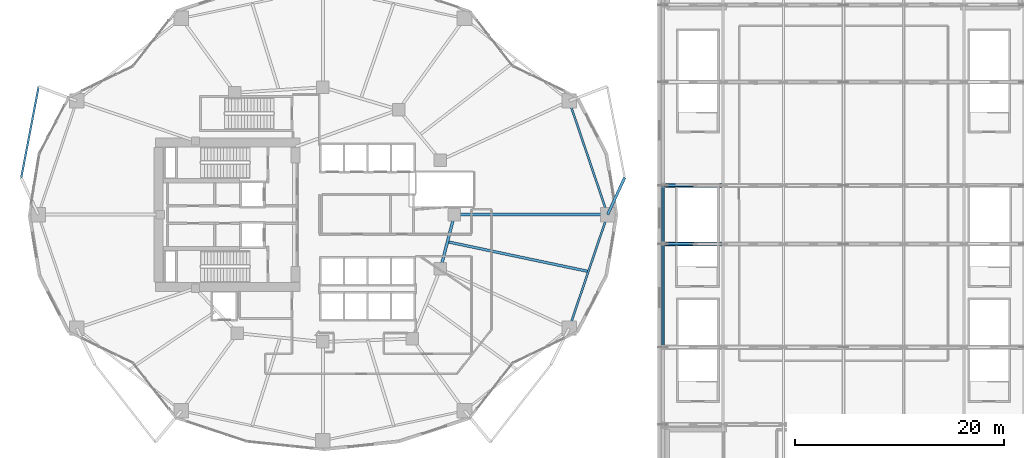
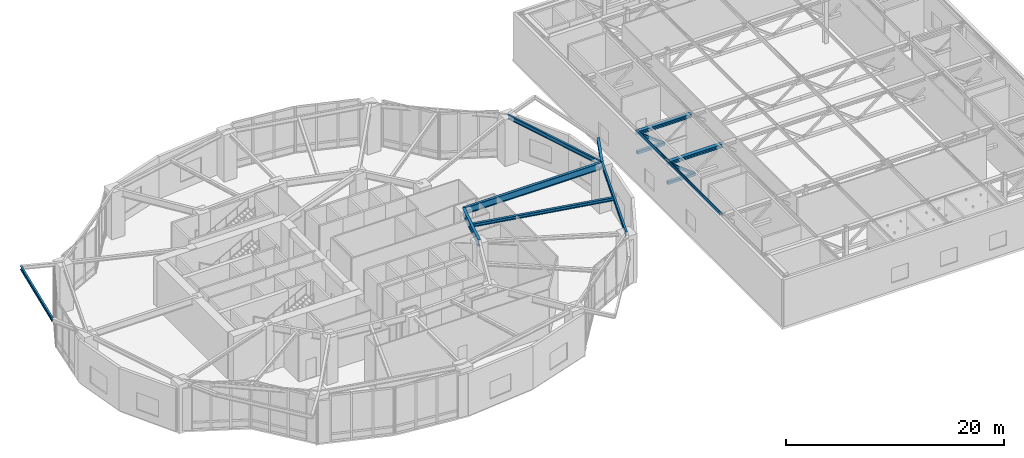
# One storey, part 8 of 29: 8 members, 7 beams.
"""IFC4 building model written with IfcOpenShell, lengths in metres."""

import ifcopenshell
import ifcopenshell.guid

model = None  # the IFC model being written
_history = None  # IfcOwnerHistory: only IFC2X3 demands one
_inside = {}  # id of a spatial element -> (the spatial element, [elements in it])
_under = {}  # id of a project, library or spatial element -> (it, [spatial elements below it])
_declared = {}  # id of a project -> (the project, [libraries it declares])
_typed = {}  # id of a type object -> (the type object, [elements of that type])
_made_of = {}  # id of a material, layer set ... -> (it, [elements and type objects made of it])


def new_model(schema):
    """Start an empty IFC model of exactly this schema.

    Asked for "IFC4X3", IfcOpenShell would pick the latest addendum, in which some entities
    have other attributes; the version numbers below select the first issue.
    IFC2X3 requires an IfcOwnerHistory on every rooted entity: one is made here for all.
    """
    global model, _history
    if schema == "IFC4X3":
        model = ifcopenshell.file(schema_version=(4, 3, 0, 0))
    else:
        model = ifcopenshell.file(schema=schema)
    _inside.clear()
    _under.clear()
    _declared.clear()
    _typed.clear()
    _made_of.clear()
    _history = None
    if model.schema == "IFC2X3":
        org = make("IfcOrganization", Name="unknown")
        user = make(
            "IfcPersonAndOrganization",
            ThePerson=make("IfcPerson", FamilyName="unknown"),
            TheOrganization=org,
        )
        app = make(
            "IfcApplication",
            ApplicationDeveloper=org,
            Version="unknown",
            ApplicationFullName="unknown",
            ApplicationIdentifier="unknown",
        )
        _history = make(
            "IfcOwnerHistory",
            OwningUser=user,
            OwningApplication=app,
            ChangeAction="ADDED",
            CreationDate=0,
        )
    return model


def make(cls, **values):
    """One entity of the class cls with the attributes given. An attribute that is None is left unset."""
    return model.create_entity(
        cls, **{name: value for name, value in values.items() if value is not None}
    )


def rooted(cls, **values):
    """An entity with a GlobalId (a new one), such as an element, a storey or a relation."""
    return make(cls, GlobalId=ifcopenshell.guid.new(), OwnerHistory=_history, **values)


def si_unit(unit_type, name, prefix=None):
    """IfcSIUnit, for example si_unit("LENGTHUNIT", "METRE", prefix="MILLI")."""
    return make("IfcSIUnit", UnitType=unit_type, Prefix=prefix, Name=name)


def assignment(units):
    """IfcUnitAssignment: the units of a project."""
    return None if units is None else make("IfcUnitAssignment", Units=units)


def point(xyz):
    """IfcCartesianPoint."""
    return None if xyz is None else make("IfcCartesianPoint", Coordinates=xyz)


def direction(xyz):
    """IfcDirection."""
    return None if xyz is None else make("IfcDirection", DirectionRatios=xyz)


def frame(location, z_axis=None, x_axis=None):
    """IfcAxis2Placement3D, a coordinate frame: its origin and axes. An axis left out is left unset."""
    return make(
        "IfcAxis2Placement3D",
        Location=point(location),
        Axis=direction(z_axis),
        RefDirection=direction(x_axis),
    )


def frame_2d(location, x_axis=None):
    """IfcAxis2Placement2D, a coordinate frame in the plane: its origin and x axis."""
    return make(
        "IfcAxis2Placement2D", Location=point(location), RefDirection=direction(x_axis)
    )


def origin():
    """The frame at (0, 0, 0) with its axes left unset."""
    return frame((0.0, 0.0, 0.0))


def origin_2d():
    """The frame at (0, 0) in the plane with its x axis left unset."""
    return frame_2d((0.0, 0.0))


def place(relative_to, where):
    """IfcLocalPlacement: puts the frame where relative to a parent placement (None: the world)."""
    return make(
        "IfcLocalPlacement", PlacementRelTo=relative_to, RelativePlacement=where
    )


def context(
    kind, dimensions, precision=None, world=None, true_north=None, identifier=None
):
    """IfcGeometricRepresentationContext, for example the 3D "Model" context."""
    return make(
        "IfcGeometricRepresentationContext",
        ContextIdentifier=identifier,
        ContextType=kind,
        CoordinateSpaceDimension=dimensions,
        Precision=precision,
        WorldCoordinateSystem=world,
        TrueNorth=true_north,
    )


def subcontext(parent, identifier, kind, view, scale=None):
    """IfcGeometricRepresentationSubContext, for example "Body" below "Model"."""
    return make(
        "IfcGeometricRepresentationSubContext",
        ContextIdentifier=identifier,
        ContextType=kind,
        ParentContext=parent,
        TargetScale=scale,
        TargetView=view,
    )


def project(units=None, contexts=None):
    """IfcProject with its units and contexts."""
    return rooted(
        "IfcProject",
        Name="project",
        RepresentationContexts=contexts,
        UnitsInContext=assignment(units),
    )


def spatial(cls, under=None, at=None, **own):
    """A site, building, storey or space (cls), placed at a placement, below another one or the project."""
    s = rooted(cls, ObjectPlacement=at, **own)
    if under is not None:
        _under.setdefault(under.id(), (under, []))[1].append(s)
    return s


def profile(cls, at=None, kind="AREA", **sizes):
    """A parametric profile (cls). Its sizes go by their IFC names, for example OverallWidth=200.0."""
    return make(cls, ProfileType=kind, Position=at, **sizes)


def hollow_rectangle(**sizes):
    """IfcRectangleHollowProfileDef."""
    return profile("IfcRectangleHollowProfileDef", **sizes)


def i_section(**sizes):
    """IfcIShapeProfileDef."""
    return profile("IfcIShapeProfileDef", **sizes)


def extrude(swept, where, along, depth):
    """IfcExtrudedAreaSolid: the profile swept, set in the frame where, extruded along a direction by depth."""
    return make(
        "IfcExtrudedAreaSolid",
        SweptArea=swept,
        Position=where,
        ExtrudedDirection=direction(along),
        Depth=depth,
    )


def shape(context_of_items, identifier, shape_type, items):
    """IfcShapeRepresentation: the items that make up one representation, for example the "Body"."""
    return make(
        "IfcShapeRepresentation",
        ContextOfItems=context_of_items,
        RepresentationIdentifier=identifier,
        RepresentationType=shape_type,
        Items=items,
    )


def material(Name=None, Category=None):
    """IfcMaterial."""
    return make("IfcMaterial", Name=Name, Category=Category)


def material_profile(
    of_material, cross_section, Name=None, Category=None, Priority=None
):
    """IfcMaterialProfile: a cross section and its material."""
    return make(
        "IfcMaterialProfile",
        Name=Name,
        Material=of_material,
        Profile=cross_section,
        Priority=Priority,
        Category=Category,
    )


def profile_set(profiles, Name=None, composite=None):
    """IfcMaterialProfileSet."""
    return make(
        "IfcMaterialProfileSet",
        Name=Name,
        MaterialProfiles=profiles,
        CompositeProfile=composite,
    )


def made_of(thing, what):
    """Note that an element or type object is made of a material, layer set ...; save() writes the relation."""
    if what is not None:
        _made_of.setdefault(what.id(), (what, []))[1].append(thing)
    return thing


def type_object(cls, material=None, **own):
    """A type object (cls), such as IfcWallType, which elements share."""
    return made_of(rooted(cls, **own), material)


def element(
    cls,
    number,
    at=None,
    inside=None,
    cuts=None,
    type_object=None,
    material=None,
    context=None,
    identifier="Body",
    shape_type=None,
    held_by="IfcProductDefinitionShape",
    body=None,
    shapes=None,
    **own,
):
    """One element of the class cls, such as IfcWall. Its Tag is "e" and its number.

    at: its placement. inside: the storey or other place that contains it. cuts: it is an
    opening in that element (IfcRelVoidsElement). A single representation is given by context,
    identifier, shape_type and body (its items); several are given by shapes. held_by: the class
    of the entity that holds the representations. save() writes the other relations.
    """
    e = rooted(cls, Tag="e%d" % number, ObjectPlacement=at, **own)
    if body is not None:
        shapes = [shape(context, identifier, shape_type, body)]
    if shapes is not None:
        e.Representation = make(held_by, Representations=shapes)
    if inside is not None:
        _inside.setdefault(inside.id(), (inside, []))[1].append(e)
    if cuts is not None:
        rooted(
            "IfcRelVoidsElement", RelatingBuildingElement=cuts, RelatedOpeningElement=e
        )
    if type_object is not None:
        _typed.setdefault(type_object.id(), (type_object, []))[1].append(e)
    return made_of(e, material)


def aggregate(whole, parts):
    """IfcRelAggregates: a whole, such as a stair, and the parts it consists of."""
    return rooted("IfcRelAggregates", RelatingObject=whole, RelatedObjects=parts)


def save(model, path):
    """Write the relations noted so far, then the file.

    IfcRelAggregates (storeys below a building ...), IfcRelContainedInSpatialStructure (elements
    in a storey), IfcRelDefinesByType, IfcRelAssociatesMaterial and IfcRelDeclares: one each for
    every whole, place, type object, material and project.
    """
    for whole, parts in _under.values():
        aggregate(whole, parts)
    for where, things in _inside.values():
        rooted(
            "IfcRelContainedInSpatialStructure",
            RelatedElements=things,
            RelatingStructure=where,
        )
    for kind, things in _typed.values():
        rooted("IfcRelDefinesByType", RelatedObjects=things, RelatingType=kind)
    for what, things in _made_of.values():
        rooted("IfcRelAssociatesMaterial", RelatedObjects=things, RelatingMaterial=what)
    for by, libraries in _declared.values():
        rooted("IfcRelDeclares", RelatingContext=by, RelatedDefinitions=libraries)
    model.write(path)


model = new_model("IFC4")

# Units and contexts
model_context = context("Model", 3, precision=1e-05, world=origin(), true_north=direction((0.0, 1.0)))
body_context = subcontext(model_context, "Body", "Model", "MODEL_VIEW")
ifc_project = project(units=[si_unit("LENGTHUNIT", "METRE"), si_unit("AREAUNIT", "SQUARE_METRE"), si_unit("VOLUMEUNIT", "CUBIC_METRE"), si_unit("PLANEANGLEUNIT", "RADIAN"), si_unit("MASSUNIT", "GRAM", prefix="KILO")], contexts=[model_context])

# Site, building, storey
site_placement = place(None, origin())
site = spatial("IfcSite", under=ifc_project, at=site_placement, CompositionType="ELEMENT")
building_placement = place(site_placement, origin())
building = spatial("IfcBuilding", under=site, at=building_placement, Name="Kolvaren Gate Tower and Convention Centre", CompositionType="ELEMENT")
storey_placement = place(building_placement, frame((0.0, 0.0, 21.0)))
storey = spatial("IfcBuildingStorey", under=building, at=storey_placement, Name="L04", CompositionType="ELEMENT", Elevation=21.0)

# Beams
ifc_material_1 = material(Name="Structural steel ASTM A992 Grade 345 MPa", Category="steel")
ifc_material_profile_1 = material_profile(ifc_material_1, i_section(OverallWidth=0.260009765625, OverallDepth=0.419921875, WebThickness=0.013427734375, FlangeThickness=0.0224609375, at=origin_2d()), Name="W410X132")
ifc_profile_set_1 = profile_set([ifc_material_profile_1], Name="Structural steel ASTM A992 Grade 345 MPa")
beam_type_1 = type_object("IfcBeamType", Name="STR-BM-W410X132", PredefinedType="BEAM", material=ifc_profile_set_1)
beam_1_placement = place(storey_placement, frame((57.39990234375, 27.0, 5.010498046875), z_axis=(0.417803301824, 0.908537506648, 0.0), x_axis=(-0.908537506648, 0.417803301824, 0.0)))
element("IfcBeam", 1, at=beam_1_placement, inside=storey, type_object=beam_type_1, Name="Tower L05 Planted Balcony Outrigger Cantilever BC-1A", PredefinedType="BEAM", context=body_context, shape_type="SweptSolid", body=[
    extrude(i_section(OverallWidth=0.260009765625, OverallDepth=0.419921875, WebThickness=0.013427734375, FlangeThickness=0.0224609375, at=origin_2d()), origin(), (0.0, 0.0, 1.0), 3.89990234375),
])
ifc_material_profile_2 = material_profile(ifc_material_1, i_section(OverallWidth=0.26806640625, OverallDepth=0.758056640625, WebThickness=0.016357421875, FlangeThickness=0.025390625, at=origin_2d()), Name="W760X220")
ifc_profile_set_2 = profile_set([ifc_material_profile_2], Name="Structural steel ASTM A992 Grade 345 MPa")
beam_type_2 = type_object("IfcBeamType", Name="STR-BM-W760X220", PredefinedType="BEAM", material=ifc_profile_set_2)
beam_2_placement = place(storey_placement, frame((42.72509765625, 27.0, 4.841064453125), z_axis=(-0.250091133936, -0.968222301296, 0.0), x_axis=(0.968222301296, -0.250091133936, 0.0)))
element("IfcBeam", 2, at=beam_2_placement, inside=storey, type_object=beam_type_2, Name="Tower L04 Primary Ring Girder G-01", PredefinedType="BEAM", context=body_context, shape_type="SweptSolid", body=[
    extrude(i_section(OverallWidth=0.26806640625, OverallDepth=0.758056640625, WebThickness=0.016357421875, FlangeThickness=0.025390625, at=origin_2d()), origin(), (0.0, 0.0, 1.0), 5.3701171875),
])
beam_3_placement = place(storey_placement, frame((42.72509765625, 27.0, 4.841064453125), z_axis=(1.0, 0.0, 0.0), x_axis=(0.0, 1.0, 0.0)))
element("IfcBeam", 3, at=beam_3_placement, inside=storey, type_object=beam_type_2, Name="Tower L04 Radial Floor Girder RB-01", PredefinedType="BEAM", context=body_context, shape_type="SweptSolid", body=[
    extrude(i_section(OverallWidth=0.26806640625, OverallDepth=0.758056640625, WebThickness=0.016357421875, FlangeThickness=0.025390625, at=origin_2d()), origin(), (0.0, 0.0, 1.0), 14.6748046875),
])

# Members
ifc_material_2 = material(Name="Structural steel ASTM A500 Grade C 345 MPa", Category="steel")
ifc_material_profile_3 = material_profile(ifc_material_2, hollow_rectangle(XDim=0.25390625, YDim=0.25390625, WallThickness=0.015869140625, at=origin_2d()), Name="HSS254X254X15.9")
ifc_profile_set_3 = profile_set([ifc_material_profile_3], Name="Structural steel ASTM A500 Grade C 345 MPa")
member_type_1 = type_object("IfcMemberType", Name="STR-BR-HSS254X254", PredefinedType="BRACE", material=ifc_profile_set_3)
for number, where, z_axis, x_axis, name in (
    (4, (62.699951171875, 24.199951171875, 4.919921875), (0.79235205207, 0.0, -0.610064115959), (0.0, 1.0, 0.0), "Convention Roof Truss TR-04 Web Diagonal 1A"),
    (5, (62.699951171875, 29.800048828125, 4.919921875), (0.79235205207, 0.0, -0.610064115959), (0.0, 1.0, 0.0), "Convention Roof Truss TR-05 Web Diagonal 1A"),
):
    element("IfcMember", number, at=place(storey_placement, frame(where, z_axis=z_axis, x_axis=x_axis)), inside=storey, type_object=member_type_1, Name=name, PredefinedType="BRACE", context=body_context, shape_type="SweptSolid", body=[
        extrude(hollow_rectangle(XDim=0.25390625, YDim=0.25390625, WallThickness=0.015869140625, at=origin_2d()), origin(), (0.0, 0.0, 1.0), 3.638916015625),
    ])
ifc_material_profile_4 = material_profile(ifc_material_2, hollow_rectangle(XDim=0.304931640625, YDim=0.304931640625, WallThickness=0.015869140625, at=origin_2d()), Name="HSS305X305X15.9")
ifc_profile_set_4 = profile_set([ifc_material_profile_4], Name="Structural steel ASTM A500 Grade C 345 MPa")
member_type_2 = type_object("IfcMemberType", Name="STR-CH-HSS305X305", PredefinedType="CHORD", material=ifc_profile_set_4)
for number, where, z_axis, x_axis, name in (
    (6, (62.699951171875, 24.199951171875, 2.699951171875), (1.0, 0.0, 0.0), (0.0, 1.0, 0.0), "Convention Roof Truss TR-04 Bottom Chord 1A"),
    (7, (62.699951171875, 29.800048828125, 2.699951171875), (1.0, 0.0, 0.0), (0.0, 1.0, 0.0), "Convention Roof Truss TR-05 Bottom Chord 1A"),
):
    element("IfcMember", number, at=place(storey_placement, frame(where, z_axis=z_axis, x_axis=x_axis)), inside=storey, type_object=member_type_2, Name=name, PredefinedType="CHORD", context=body_context, shape_type="SweptSolid", body=[
        extrude(hollow_rectangle(XDim=0.304931640625, YDim=0.304931640625, WallThickness=0.015869140625, at=origin_2d()), origin(), (0.0, 0.0, 1.0), 2.88330078125),
    ])
ifc_material_profile_5 = material_profile(ifc_material_1, i_section(OverallWidth=0.39501953125, OverallDepth=0.3798828125, WebThickness=0.018798828125, FlangeThickness=0.0302734375, at=origin_2d()), Name="W360X237")
ifc_profile_set_5 = profile_set([ifc_material_profile_5], Name="Structural steel ASTM A992 Grade 345 MPa")
member_type_3 = type_object("IfcMemberType", Name="STR-CH-W360X237", PredefinedType="CHORD", material=ifc_profile_set_5)
for number, where, z_axis, x_axis, name in (
    (8, (62.699951171875, 24.199951171875, 4.919921875), (1.0, 0.0, 0.0), (0.0, 1.0, 0.0), "Convention Roof Truss TR-04 Top Chord 1"),
    (9, (62.699951171875, 29.800048828125, 4.919921875), (1.0, 0.0, 0.0), (0.0, 1.0, 0.0), "Convention Roof Truss TR-05 Top Chord 1"),
):
    element("IfcMember", number, at=place(storey_placement, frame(where, z_axis=z_axis, x_axis=x_axis)), inside=storey, type_object=member_type_3, Name=name, PredefinedType="CHORD", context=body_context, shape_type="SweptSolid", body=[
        extrude(i_section(OverallWidth=0.39501953125, OverallDepth=0.3798828125, WebThickness=0.018798828125, FlangeThickness=0.0302734375, at=origin_2d()), origin(), (0.0, 0.0, 1.0), 5.766845703125),
    ])

# Beam
ifc_material_profile_6 = material_profile(ifc_material_1, i_section(OverallWidth=0.2548828125, OverallDepth=0.35693359375, WebThickness=0.010498046875, FlangeThickness=0.018310546875, at=origin_2d()), Name="W360X101")
ifc_profile_set_6 = profile_set([ifc_material_profile_6], Name="Structural steel ASTM A992 Grade 345 MPa")
beam_type_3 = type_object("IfcBeamType", Name="STR-JS-W360X101", PredefinedType="JOIST", material=ifc_profile_set_6)
beam_4_placement = place(storey_placement, frame((42.0537109375, 24.400146484375, 5.04150390625), z_axis=(0.978483842038, -0.206323461756, 0.0), x_axis=(0.206323461756, 0.978483842038, 0.0)))
element("IfcBeam", 10, at=beam_4_placement, inside=storey, type_object=beam_type_3, Name="Tower L04 Secondary Composite Floor Joist J-12.1", PredefinedType="JOIST", context=body_context, shape_type="SweptSolid", body=[
    extrude(i_section(OverallWidth=0.2548828125, OverallDepth=0.35693359375, WebThickness=0.010498046875, FlangeThickness=0.018310546875, at=origin_2d()), origin(), (0.0, 0.0, 1.0), 13.79833984375),
])

# Members
ifc_material_profile_7 = material_profile(ifc_material_1, i_section(OverallWidth=0.256103515625, OverallDepth=0.260009765625, WebThickness=0.0107421875, FlangeThickness=0.017333984375, at=origin_2d()), Name="W250X89")
ifc_profile_set_7 = profile_set([ifc_material_profile_7], Name="Structural steel ASTM A992 Grade 345 MPa")
member_type_4 = type_object("IfcMemberType", Name="STR-PR-W250X89", PredefinedType="PURLIN", material=ifc_profile_set_7)
member_1_placement = place(storey_placement, frame((62.699951171875, 14.300048828125, 5.1201171875), z_axis=(0.0, 1.0, 0.0), x_axis=(0.0, 0.0, 1.0)))
element("IfcMember", 11, at=member_1_placement, inside=storey, type_object=member_type_4, Name="Convention Roof Purlin PR-1.3", PredefinedType="PURLIN", context=body_context, shape_type="SweptSolid", body=[
    extrude(i_section(OverallWidth=0.256103515625, OverallDepth=0.260009765625, WebThickness=0.0107421875, FlangeThickness=0.017333984375, at=origin_2d()), origin(), (0.0, 0.0, 1.0), 9.89990234375),
])
member_2_placement = place(storey_placement, frame((62.699951171875, 24.199951171875, 5.1201171875), z_axis=(0.0, 1.0, 0.0), x_axis=(0.0, 0.0, 1.0)))
element("IfcMember", 12, at=member_2_placement, inside=storey, type_object=member_type_4, Name="Convention Roof Purlin PR-1.4", PredefinedType="PURLIN", context=body_context, shape_type="SweptSolid", body=[
    extrude(i_section(OverallWidth=0.256103515625, OverallDepth=0.260009765625, WebThickness=0.0107421875, FlangeThickness=0.017333984375, at=origin_2d()), origin(), (0.0, 0.0, 1.0), 5.60009765625),
])

# Beams
ifc_material_profile_8 = material_profile(ifc_material_1, i_section(OverallWidth=0.180908203125, OverallDepth=0.4169921875, WebThickness=0.010986328125, FlangeThickness=0.018310546875, at=origin_2d()), Name="W410X85")
ifc_profile_set_8 = profile_set([ifc_material_profile_8], Name="Structural steel ASTM A992 Grade 345 MPa")
beam_type_4 = type_object("IfcBeamType", Name="STR-SP-W410X85", PredefinedType="SPANDREL", material=ifc_profile_set_8)
beam_5_placement = place(storey_placement, frame((2.889404296875, 39.2666015625, 5.011962890625), z_axis=(-0.187888905925, -0.982190286569, 0.0), x_axis=(0.982190286569, -0.187888905925, 0.0)))
element("IfcBeam", 13, at=beam_5_placement, inside=storey, type_object=beam_type_4, Name="Tower L05 Planted Balcony Header Tie Beam BT-2", PredefinedType="SPANDREL", context=body_context, shape_type="SweptSolid", body=[
    extrude(i_section(OverallWidth=0.180908203125, OverallDepth=0.4169921875, WebThickness=0.010986328125, FlangeThickness=0.018310546875, at=origin_2d()), origin(), (0.0, 0.0, 1.0), 8.88134765625),
])
ifc_material_profile_9 = material_profile(ifc_material_1, i_section(OverallWidth=0.194091796875, OverallDepth=0.468994140625, WebThickness=0.0126953125, FlangeThickness=0.0205078125, at=origin_2d()), Name="W460X106")
ifc_profile_set_9 = profile_set([ifc_material_profile_9], Name="Structural steel ASTM A992 Grade 345 MPa")
beam_type_5 = type_object("IfcBeamType", Name="STR-SP-W460X106", PredefinedType="SPANDREL", material=ifc_profile_set_9)
for number, where, z_axis, x_axis, name in (
    (14, (57.39990234375, 27.0, 4.985595703125), (-0.320802733798, 0.947146032029, 0.0), (-0.947146032029, -0.320802733798, 0.0), "Tower L04 Perimeter Spandrel Beam SP-01"),
    (15, (53.710205078125, 16.1064453125, 4.985595703125), (0.320802733798, 0.947146032029, 0.0), (-0.947146032029, 0.320802733798, 0.0), "Tower L04 Perimeter Spandrel Beam SP-12"),
):
    element("IfcBeam", number, at=place(storey_placement, frame(where, z_axis=z_axis, x_axis=x_axis)), inside=storey, type_object=beam_type_5, Name=name, PredefinedType="SPANDREL", context=body_context, shape_type="SweptSolid", body=[
        extrude(i_section(OverallWidth=0.194091796875, OverallDepth=0.468994140625, WebThickness=0.0126953125, FlangeThickness=0.0205078125, at=origin_2d()), origin(), (0.0, 0.0, 1.0), 11.50146484375),
    ])

save(model, "model.ifc")
